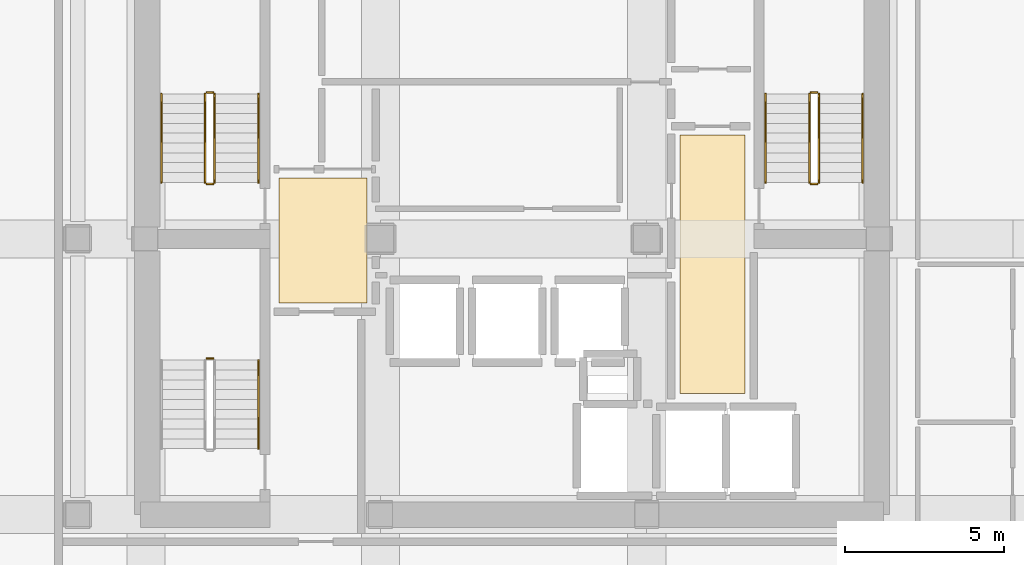
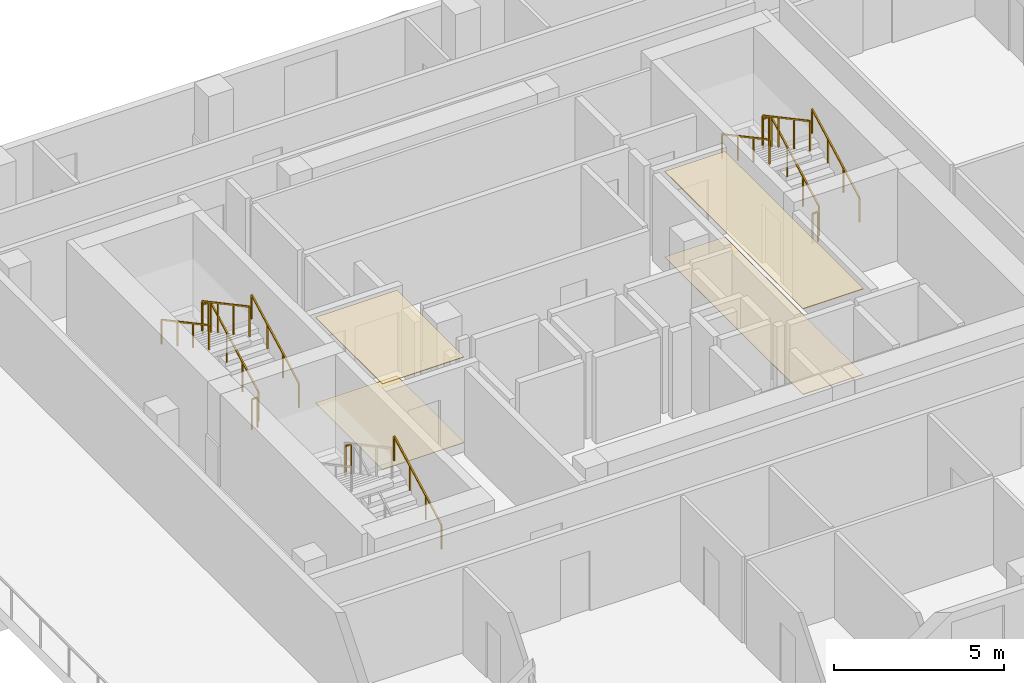
# One storey, part 9 of 10: 14 railings, 4 coverings.
"""IFC4 building model written with IfcOpenShell, lengths in metres."""

from ifc_helpers import new_model, si_unit, direction, frame, origin, origin_2d, place, context, subcontext, project, spatial, polyline, rectangle, outline, extrude, material, layer, layer_set, type_object, element, save


model = new_model("IFC4")

# Units and contexts
model_context = context("Model", 3, precision=1e-05, world=origin(), true_north=direction((0.0, 1.0)))
body_context = subcontext(model_context, "Body", "Model", "MODEL_VIEW")
ifc_project = project(units=[si_unit("LENGTHUNIT", "METRE"), si_unit("AREAUNIT", "SQUARE_METRE"), si_unit("VOLUMEUNIT", "CUBIC_METRE"), si_unit("PLANEANGLEUNIT", "RADIAN"), si_unit("MASSUNIT", "GRAM", prefix="KILO")], contexts=[model_context])

# Site, building, storey
site_placement = place(None, origin())
site = spatial("IfcSite", under=ifc_project, at=site_placement, CompositionType="ELEMENT")
building_placement = place(site_placement, origin())
building = spatial("IfcBuilding", under=site, at=building_placement, Name="Solanera Arch Residences", CompositionType="ELEMENT")
storey_placement = place(building_placement, frame((0.0, 0.0, 210.080078125)))
storey = spatial("IfcBuildingStorey", under=building, at=storey_placement, Name="L61", CompositionType="ELEMENT", Elevation=210.080078125)

# Coverings
ifc_material_1 = material(Name="Porcelain Acoustic Floor Tile", Category="ceramic")
ifc_layer_1 = layer(ifc_material_1, 0.02001953125)
ifc_layer_set_1 = layer_set([ifc_layer_1], Name="Porcelain Acoustic Floor Tile")
covering_type_1 = type_object("IfcCoveringType", Name="Porcelain Acoustic Floor Finish FLR-20", PredefinedType="FLOORING", material=ifc_layer_set_1)
covering_1_placement = place(storey_placement, origin())
element("IfcCovering", 1, at=covering_1_placement, inside=storey, type_object=covering_type_1, Name="L61-FFL-W Porcelain Floor Finish", PredefinedType="FLOORING", context=body_context, shape_type="SweptSolid", body=[
    extrude(outline(polyline([(20.375, 28.675048828125), (17.594970703125, 28.675048828125), (17.594970703125, 32.625), (20.375, 32.625), (20.375, 28.675048828125)])), origin(), (0.0, 0.0, 1.0), 0.02001953125),
])
covering_2_placement = place(storey_placement, origin())
element("IfcCovering", 2, at=covering_2_placement, inside=storey, type_object=covering_type_1, Name="L61-FFL-E Porcelain Floor Finish", PredefinedType="FLOORING", context=body_context, shape_type="SweptSolid", body=[
    extrude(outline(polyline([(32.304931640625, 25.824951171875), (30.25, 25.824951171875), (30.25, 33.97509765625), (32.304931640625, 33.97509765625), (32.304931640625, 25.824951171875)])), origin(), (0.0, 0.0, 1.0), 0.02001953125),
])

# Railings
ifc_material_2 = material(Name="Steel S355 (ASTM A992 / A572 Grade 50)", Category="steel")
railing_type_1 = type_object("IfcRailingType", Name="Stair Guardrail GR-1100", PredefinedType="GUARDRAIL", material=ifc_material_2)
railing_1_placement = place(storey_placement, frame((15.570068359375, 32.47998046875, 0.15087890625)))
element("IfcRailing", 3, at=railing_1_placement, inside=storey, type_object=railing_type_1, Name="L61 ST-T1 stair guard 1", PredefinedType="GUARDRAIL", context=body_context, shape_type="SweptSolid", body=[
    extrude(rectangle(XDim=0.048095703125, YDim=0.048095703125, at=origin_2d()), frame((0.0, 0.0, 1.076171875), z_axis=(0.0, 0.881548766853, 0.472092969298), x_axis=(-1.0, 0.0, 0.0)), (0.0, 0.0, 1.0), 3.1650390625),
    extrude(rectangle(XDim=0.0419921875, YDim=0.0419921875, at=origin_2d()), origin(), (0.0, 0.0, 1.0), 1.052001953125),
    extrude(rectangle(XDim=0.0419921875, YDim=0.0419921875, at=origin_2d()), frame((0.0, 0.929931640625, 0.498046875)), (0.0, 0.0, 1.0), 1.052001953125),
    extrude(rectangle(XDim=0.0419921875, YDim=0.0419921875, at=origin_2d()), frame((0.0, 1.860107421875, 0.99609375)), (0.0, 0.0, 1.0), 1.052001953125),
    extrude(rectangle(XDim=0.0419921875, YDim=0.0419921875, at=origin_2d()), frame((0.0, 2.7900390625, 1.494140625)), (0.0, 0.0, 1.0), 1.052001953125),
])
railing_2_placement = place(storey_placement, frame((15.52001953125, 35.320068359375, 1.64501953125)))
element("IfcRailing", 4, at=railing_2_placement, inside=storey, type_object=railing_type_1, Name="L61 ST-T1 stair guard 2", PredefinedType="GUARDRAIL", context=body_context, shape_type="SweptSolid", body=[
    extrude(rectangle(XDim=0.048095703125, YDim=0.048095703125, at=origin_2d()), frame((0.0, 0.0, 1.076171875), z_axis=(-1.0, 0.0, 0.0), x_axis=(0.0, -1.0, 0.0)), (0.0, 0.0, 1.0), 0.199951171875),
    extrude(rectangle(XDim=0.0419921875, YDim=0.0419921875, at=origin_2d()), origin(), (0.0, 0.0, 1.0), 1.052001953125),
    extrude(rectangle(XDim=0.0419921875, YDim=0.0419921875, at=origin_2d()), frame((-0.199951171875, 0.0, 0.0)), (0.0, 0.0, 1.0), 1.052001953125),
])
railing_3_placement = place(storey_placement, frame((15.27001953125, 35.27001953125, 1.81103515625)))
element("IfcRailing", 5, at=railing_3_placement, inside=storey, type_object=railing_type_1, Name="L61 ST-T1 stair guard 3", PredefinedType="GUARDRAIL", context=body_context, shape_type="SweptSolid", body=[
    extrude(rectangle(XDim=0.048095703125, YDim=0.048095703125, at=origin_2d()), frame((0.0, 0.0, 1.076171875), z_axis=(0.0, -0.881580869306, 0.472033018838), x_axis=(1.0, 0.0, 0.0)), (0.0, 0.0, 1.0), 3.164794921875),
    extrude(rectangle(XDim=0.0419921875, YDim=0.0419921875, at=origin_2d()), origin(), (0.0, 0.0, 1.0), 1.052001953125),
    extrude(rectangle(XDim=0.0419921875, YDim=0.0419921875, at=origin_2d()), frame((0.0, -0.929931640625, 0.498046875)), (0.0, 0.0, 1.0), 1.052001953125),
    extrude(rectangle(XDim=0.0419921875, YDim=0.0419921875, at=origin_2d()), frame((0.0, -1.860107421875, 0.995849609375)), (0.0, 0.0, 1.0), 1.052001953125),
    extrude(rectangle(XDim=0.0419921875, YDim=0.0419921875, at=origin_2d()), frame((0.0, -2.7900390625, 1.493896484375)), (0.0, 0.0, 1.0), 1.052001953125),
])
railing_4_placement = place(storey_placement, frame((15.52001953125, 32.429931640625, -0.01513671875)))
element("IfcRailing", 6, at=railing_4_placement, inside=storey, type_object=railing_type_1, Name="L61 ST-T1 stair guard 4", PredefinedType="GUARDRAIL", context=body_context, shape_type="SweptSolid", body=[
    extrude(rectangle(XDim=0.048095703125, YDim=0.048095703125, at=origin_2d()), frame((0.0, 0.0, 1.076171875), z_axis=(-1.0, 0.0, 0.0), x_axis=(0.0, -1.0, 0.0)), (0.0, 0.0, 1.0), 0.199951171875),
    extrude(rectangle(XDim=0.0419921875, YDim=0.0419921875, at=origin_2d()), origin(), (0.0, 0.0, 1.0), 1.052001953125),
    extrude(rectangle(XDim=0.0419921875, YDim=0.0419921875, at=origin_2d()), frame((-0.199951171875, 0.0, 0.0)), (0.0, 0.0, 1.0), 1.052001953125),
])
railing_5_placement = place(storey_placement, frame((34.6298828125, 32.47998046875, 0.15087890625)))
element("IfcRailing", 7, at=railing_5_placement, inside=storey, type_object=railing_type_1, Name="L61 ST-T2 stair guard 1", PredefinedType="GUARDRAIL", context=body_context, shape_type="SweptSolid", body=[
    extrude(rectangle(XDim=0.048095703125, YDim=0.048095703125, at=origin_2d()), frame((0.0, 0.0, 1.076171875), z_axis=(0.0, 0.881548766853, 0.472092969298), x_axis=(-1.0, 0.0, 0.0)), (0.0, 0.0, 1.0), 3.1650390625),
    extrude(rectangle(XDim=0.0419921875, YDim=0.0419921875, at=origin_2d()), origin(), (0.0, 0.0, 1.0), 1.052001953125),
    extrude(rectangle(XDim=0.0419921875, YDim=0.0419921875, at=origin_2d()), frame((0.0, 0.929931640625, 0.498046875)), (0.0, 0.0, 1.0), 1.052001953125),
    extrude(rectangle(XDim=0.0419921875, YDim=0.0419921875, at=origin_2d()), frame((0.0, 1.860107421875, 0.99609375)), (0.0, 0.0, 1.0), 1.052001953125),
    extrude(rectangle(XDim=0.0419921875, YDim=0.0419921875, at=origin_2d()), frame((0.0, 2.7900390625, 1.494140625)), (0.0, 0.0, 1.0), 1.052001953125),
])
railing_6_placement = place(storey_placement, frame((34.580078125, 35.320068359375, 1.64501953125)))
element("IfcRailing", 8, at=railing_6_placement, inside=storey, type_object=railing_type_1, Name="L61 ST-T2 stair guard 2", PredefinedType="GUARDRAIL", context=body_context, shape_type="SweptSolid", body=[
    extrude(rectangle(XDim=0.048095703125, YDim=0.048095703125, at=origin_2d()), frame((0.0, 0.0, 1.076171875), z_axis=(-1.0, 0.0, 0.0), x_axis=(0.0, -1.0, 0.0)), (0.0, 0.0, 1.0), 0.2001953125),
    extrude(rectangle(XDim=0.0419921875, YDim=0.0419921875, at=origin_2d()), origin(), (0.0, 0.0, 1.0), 1.052001953125),
    extrude(rectangle(XDim=0.0419921875, YDim=0.0419921875, at=origin_2d()), frame((-0.2001953125, 0.0, 0.0)), (0.0, 0.0, 1.0), 1.052001953125),
])
railing_7_placement = place(storey_placement, frame((34.330078125, 35.27001953125, 1.81103515625)))
element("IfcRailing", 9, at=railing_7_placement, inside=storey, type_object=railing_type_1, Name="L61 ST-T2 stair guard 3", PredefinedType="GUARDRAIL", context=body_context, shape_type="SweptSolid", body=[
    extrude(rectangle(XDim=0.048095703125, YDim=0.048095703125, at=origin_2d()), frame((0.0, 0.0, 1.076171875), z_axis=(0.0, -0.881580869306, 0.472033018838), x_axis=(1.0, 0.0, 0.0)), (0.0, 0.0, 1.0), 3.164794921875),
    extrude(rectangle(XDim=0.0419921875, YDim=0.0419921875, at=origin_2d()), origin(), (0.0, 0.0, 1.0), 1.052001953125),
    extrude(rectangle(XDim=0.0419921875, YDim=0.0419921875, at=origin_2d()), frame((0.0, -0.929931640625, 0.498046875)), (0.0, 0.0, 1.0), 1.052001953125),
    extrude(rectangle(XDim=0.0419921875, YDim=0.0419921875, at=origin_2d()), frame((0.0, -1.860107421875, 0.995849609375)), (0.0, 0.0, 1.0), 1.052001953125),
    extrude(rectangle(XDim=0.0419921875, YDim=0.0419921875, at=origin_2d()), frame((0.0, -2.7900390625, 1.493896484375)), (0.0, 0.0, 1.0), 1.052001953125),
])
railing_8_placement = place(storey_placement, frame((34.580078125, 32.429931640625, -0.01513671875)))
element("IfcRailing", 10, at=railing_8_placement, inside=storey, type_object=railing_type_1, Name="L61 ST-T2 stair guard 4", PredefinedType="GUARDRAIL", context=body_context, shape_type="SweptSolid", body=[
    extrude(rectangle(XDim=0.048095703125, YDim=0.048095703125, at=origin_2d()), frame((0.0, 0.0, 1.076171875), z_axis=(-1.0, 0.0, 0.0), x_axis=(0.0, -1.0, 0.0)), (0.0, 0.0, 1.0), 0.2001953125),
    extrude(rectangle(XDim=0.0419921875, YDim=0.0419921875, at=origin_2d()), origin(), (0.0, 0.0, 1.0), 1.052001953125),
    extrude(rectangle(XDim=0.0419921875, YDim=0.0419921875, at=origin_2d()), frame((-0.2001953125, 0.0, 0.0)), (0.0, 0.0, 1.0), 1.052001953125),
])
railing_9_placement = place(storey_placement, frame((15.52001953125, 26.919921875, 1.64501953125)))
element("IfcRailing", 11, at=railing_9_placement, inside=storey, type_object=railing_type_1, Name="L61 ST-T3 stair guard 2", PredefinedType="GUARDRAIL", context=body_context, shape_type="SweptSolid", body=[
    extrude(rectangle(XDim=0.048095703125, YDim=0.048095703125, at=origin_2d()), frame((0.0, 0.0, 1.076171875), z_axis=(-1.0, 0.0, 0.0), x_axis=(0.0, -1.0, 0.0)), (0.0, 0.0, 1.0), 0.199951171875),
    extrude(rectangle(XDim=0.0419921875, YDim=0.0419921875, at=origin_2d()), origin(), (0.0, 0.0, 1.0), 1.052001953125),
    extrude(rectangle(XDim=0.0419921875, YDim=0.0419921875, at=origin_2d()), frame((-0.199951171875, 0.0, 0.0)), (0.0, 0.0, 1.0), 1.052001953125),
])
ifc_material_3 = material(Name="Steel S355 (ASTM A992 / A572 Grade 50)", Category="steel")
railing_type_2 = type_object("IfcRailingType", Name="Stair Wall Handrail HR-920", PredefinedType="HANDRAIL", material=ifc_material_3)
railing_10_placement = place(storey_placement, frame((16.949951171875, 32.47998046875, 0.166015625)))
element("IfcRailing", 12, at=railing_10_placement, inside=storey, type_object=railing_type_2, Name="L61 ST-T1 stair handrail 1", PredefinedType="HANDRAIL", context=body_context, shape_type="SweptSolid", body=[
    extrude(rectangle(XDim=0.048095703125, YDim=0.048095703125, at=origin_2d()), frame((0.0, 0.0, 0.8759765625), z_axis=(0.0, 0.881580869306, 0.472033018838), x_axis=(-1.0, 0.0, 0.0)), (0.0, 0.0, 1.0), 3.164794921875),
    extrude(rectangle(XDim=0.0419921875, YDim=0.0419921875, at=origin_2d()), origin(), (0.0, 0.0, 1.0), 0.851806640625),
    extrude(rectangle(XDim=0.0419921875, YDim=0.0419921875, at=origin_2d()), frame((0.0, 0.929931640625, 0.498046875)), (0.0, 0.0, 1.0), 0.851806640625),
    extrude(rectangle(XDim=0.0419921875, YDim=0.0419921875, at=origin_2d()), frame((0.0, 1.860107421875, 0.995849609375)), (0.0, 0.0, 1.0), 0.851806640625),
    extrude(rectangle(XDim=0.0419921875, YDim=0.0419921875, at=origin_2d()), frame((0.0, 2.7900390625, 1.493896484375)), (0.0, 0.0, 1.0), 0.851806640625),
])
railing_11_placement = place(storey_placement, frame((13.889892578125, 35.27001953125, 1.825927734375)))
element("IfcRailing", 13, at=railing_11_placement, inside=storey, type_object=railing_type_2, Name="L61 ST-T1 stair handrail 2", PredefinedType="HANDRAIL", context=body_context, shape_type="SweptSolid", body=[
    extrude(rectangle(XDim=0.048095703125, YDim=0.048095703125, at=origin_2d()), frame((0.0, 0.0, 0.8759765625), z_axis=(0.0, -0.881580869306, 0.472033018838), x_axis=(1.0, 0.0, 0.0)), (0.0, 0.0, 1.0), 3.164794921875),
    extrude(rectangle(XDim=0.0419921875, YDim=0.0419921875, at=origin_2d()), origin(), (0.0, 0.0, 1.0), 0.851806640625),
    extrude(rectangle(XDim=0.0419921875, YDim=0.0419921875, at=origin_2d()), frame((0.0, -0.929931640625, 0.498046875)), (0.0, 0.0, 1.0), 0.851806640625),
    extrude(rectangle(XDim=0.0419921875, YDim=0.0419921875, at=origin_2d()), frame((0.0, -1.860107421875, 0.995849609375)), (0.0, 0.0, 1.0), 0.851806640625),
    extrude(rectangle(XDim=0.0419921875, YDim=0.0419921875, at=origin_2d()), frame((0.0, -2.7900390625, 1.493896484375)), (0.0, 0.0, 1.0), 0.851806640625),
])
railing_12_placement = place(storey_placement, frame((36.010009765625, 32.47998046875, 0.166015625)))
element("IfcRailing", 14, at=railing_12_placement, inside=storey, type_object=railing_type_2, Name="L61 ST-T2 stair handrail 1", PredefinedType="HANDRAIL", context=body_context, shape_type="SweptSolid", body=[
    extrude(rectangle(XDim=0.048095703125, YDim=0.048095703125, at=origin_2d()), frame((0.0, 0.0, 0.8759765625), z_axis=(0.0, 0.881580869306, 0.472033018838), x_axis=(-1.0, 0.0, 0.0)), (0.0, 0.0, 1.0), 3.164794921875),
    extrude(rectangle(XDim=0.0419921875, YDim=0.0419921875, at=origin_2d()), origin(), (0.0, 0.0, 1.0), 0.851806640625),
    extrude(rectangle(XDim=0.0419921875, YDim=0.0419921875, at=origin_2d()), frame((0.0, 0.929931640625, 0.498046875)), (0.0, 0.0, 1.0), 0.851806640625),
    extrude(rectangle(XDim=0.0419921875, YDim=0.0419921875, at=origin_2d()), frame((0.0, 1.860107421875, 0.995849609375)), (0.0, 0.0, 1.0), 0.851806640625),
    extrude(rectangle(XDim=0.0419921875, YDim=0.0419921875, at=origin_2d()), frame((0.0, 2.7900390625, 1.493896484375)), (0.0, 0.0, 1.0), 0.851806640625),
])
railing_13_placement = place(storey_placement, frame((32.949951171875, 35.27001953125, 1.825927734375)))
element("IfcRailing", 15, at=railing_13_placement, inside=storey, type_object=railing_type_2, Name="L61 ST-T2 stair handrail 2", PredefinedType="HANDRAIL", context=body_context, shape_type="SweptSolid", body=[
    extrude(rectangle(XDim=0.048095703125, YDim=0.048095703125, at=origin_2d()), frame((0.0, 0.0, 0.8759765625), z_axis=(0.0, -0.881580869306, 0.472033018838), x_axis=(1.0, 0.0, 0.0)), (0.0, 0.0, 1.0), 3.164794921875),
    extrude(rectangle(XDim=0.0419921875, YDim=0.0419921875, at=origin_2d()), origin(), (0.0, 0.0, 1.0), 0.851806640625),
    extrude(rectangle(XDim=0.0419921875, YDim=0.0419921875, at=origin_2d()), frame((0.0, -0.929931640625, 0.498046875)), (0.0, 0.0, 1.0), 0.851806640625),
    extrude(rectangle(XDim=0.0419921875, YDim=0.0419921875, at=origin_2d()), frame((0.0, -1.860107421875, 0.995849609375)), (0.0, 0.0, 1.0), 0.851806640625),
    extrude(rectangle(XDim=0.0419921875, YDim=0.0419921875, at=origin_2d()), frame((0.0, -2.7900390625, 1.493896484375)), (0.0, 0.0, 1.0), 0.851806640625),
])
railing_14_placement = place(storey_placement, frame((16.949951171875, 24.080078125, 0.166015625)))
element("IfcRailing", 16, at=railing_14_placement, inside=storey, type_object=railing_type_2, Name="L61 ST-T3 stair handrail 1", PredefinedType="HANDRAIL", context=body_context, shape_type="SweptSolid", body=[
    extrude(rectangle(XDim=0.048095703125, YDim=0.048095703125, at=origin_2d()), frame((0.0, 0.0, 0.8759765625), z_axis=(0.0, 0.881580869306, 0.472033018838), x_axis=(-1.0, 0.0, 0.0)), (0.0, 0.0, 1.0), 3.164794921875),
    extrude(rectangle(XDim=0.0419921875, YDim=0.0419921875, at=origin_2d()), origin(), (0.0, 0.0, 1.0), 0.851806640625),
    extrude(rectangle(XDim=0.0419921875, YDim=0.0419921875, at=origin_2d()), frame((0.0, 0.929931640625, 0.498046875)), (0.0, 0.0, 1.0), 0.851806640625),
    extrude(rectangle(XDim=0.0419921875, YDim=0.0419921875, at=origin_2d()), frame((0.0, 1.860107421875, 0.995849609375)), (0.0, 0.0, 1.0), 0.851806640625),
    extrude(rectangle(XDim=0.0419921875, YDim=0.0419921875, at=origin_2d()), frame((0.0, 2.7900390625, 1.493896484375)), (0.0, 0.0, 1.0), 0.851806640625),
])

# Coverings
ifc_material_4 = material(Name="Mineral Fibre Acoustic Ceiling Board", Category="gypsum")
ifc_layer_2 = layer(ifc_material_4, 0.02490234375)
ifc_layer_set_2 = layer_set([ifc_layer_2], Name="Mineral Fibre Acoustic Ceiling Board")
covering_type_2 = type_object("IfcCoveringType", Name="Suspended Acoustic Ceiling Board CLG-25", PredefinedType="CEILING", material=ifc_layer_set_2)
covering_3_placement = place(storey_placement, frame((0.0, 0.0, 3.074951171875)))
element("IfcCovering", 17, at=covering_3_placement, inside=storey, type_object=covering_type_2, Name="L61-FFL-W Acoustic Ceiling", PredefinedType="CEILING", context=body_context, shape_type="SweptSolid", body=[
    extrude(outline(polyline([(20.375, 28.675048828125), (17.594970703125, 28.675048828125), (17.594970703125, 32.625), (20.375, 32.625), (20.375, 28.675048828125)])), origin(), (0.0, 0.0, 1.0), 0.02490234375),
])
covering_4_placement = place(storey_placement, frame((0.0, 0.0, 3.074951171875)))
element("IfcCovering", 18, at=covering_4_placement, inside=storey, type_object=covering_type_2, Name="L61-FFL-E Acoustic Ceiling", PredefinedType="CEILING", context=body_context, shape_type="SweptSolid", body=[
    extrude(outline(polyline([(32.304931640625, 25.824951171875), (30.25, 25.824951171875), (30.25, 33.97509765625), (32.304931640625, 33.97509765625), (32.304931640625, 25.824951171875)])), origin(), (0.0, 0.0, 1.0), 0.02490234375),
])

save(model, "model.ifc")
